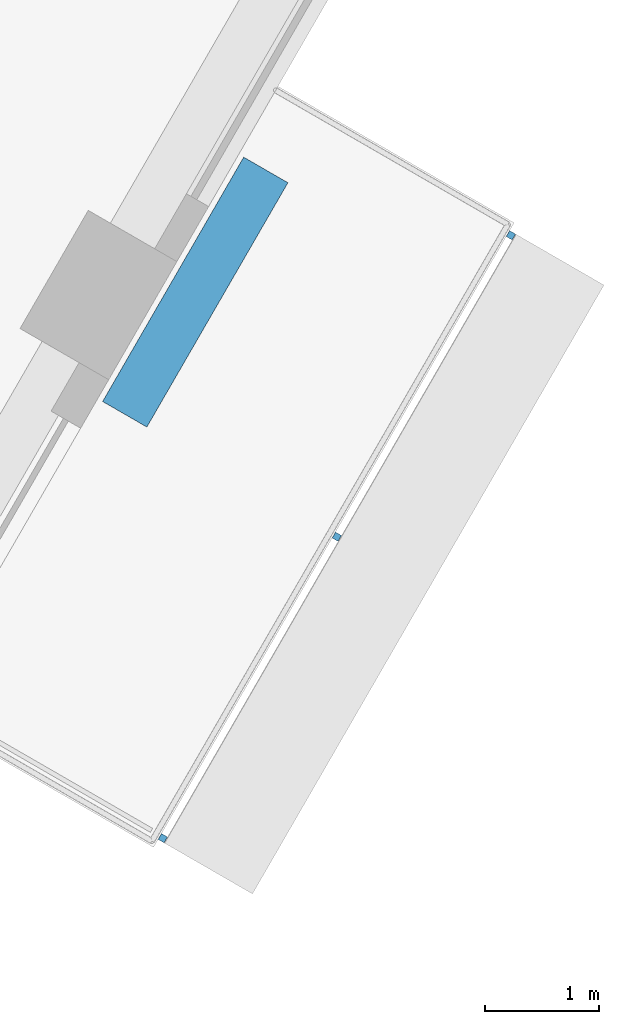
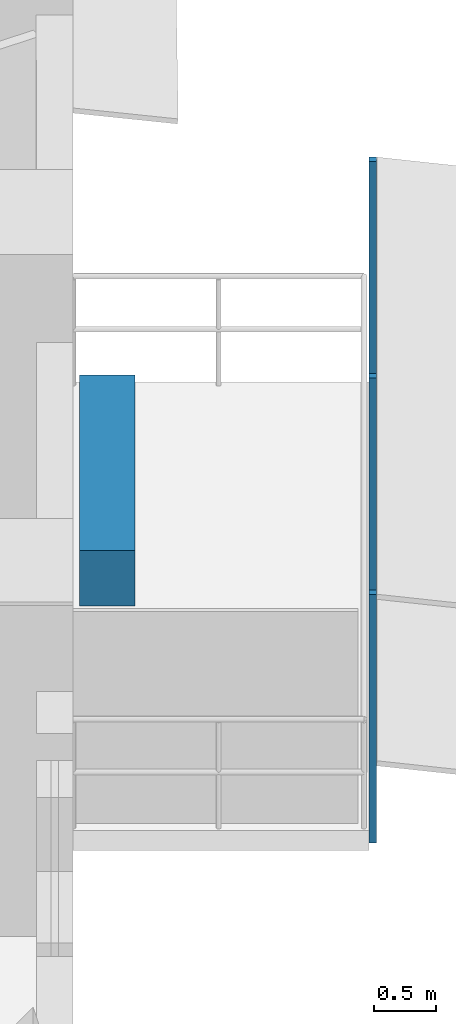
# One storey, part 11 of 15: 4 discrete accessories.
"""IFC4 building model written with IfcOpenShell, lengths in metres."""

from ifc_helpers import new_model, si_unit, direction, frame, origin, origin_2d, place, context, subcontext, project, spatial, rectangle, extrude, material, type_object, element, save


model = new_model("IFC4")

# Units and contexts
model_context = context("Model", 3, precision=1e-05, world=origin(), true_north=direction((0.0, 1.0)))
body_context = subcontext(model_context, "Body", "Model", "MODEL_VIEW")
ifc_project = project(units=[si_unit("LENGTHUNIT", "METRE"), si_unit("AREAUNIT", "SQUARE_METRE"), si_unit("VOLUMEUNIT", "CUBIC_METRE"), si_unit("PLANEANGLEUNIT", "RADIAN"), si_unit("MASSUNIT", "GRAM", prefix="KILO")], contexts=[model_context])

# Site, building, storey
site_placement = place(None, origin())
site = spatial("IfcSite", under=ifc_project, at=site_placement, CompositionType="ELEMENT")
building_placement = place(site_placement, origin())
building = spatial("IfcBuilding", under=site, at=building_placement, Name="Nakaniwa Court", CompositionType="ELEMENT")
storey_placement = place(building_placement, frame((0.0, 0.0, 189.89990234375)))
storey = spatial("IfcBuildingStorey", under=building, at=storey_placement, Name="L49", CompositionType="ELEMENT", Elevation=189.89990234375)

# Discrete accessories
ifc_material_1 = material(Name="Black powder-coated steel bracket S275", Category="steel")
discrete_accessory_type_1 = type_object("IfcDiscreteAccessoryType", Name="Black metal louvre bracket", PredefinedType="BRACKET", material=ifc_material_1)
for number, where, z_axis, x_axis, name in (
    (1, (99.70556640625, 63.970947265625, -0.229736328125), (0.0, 0.0, 1.0), (0.500016626402, 0.866015804314, 0.0), "L49 louvre bracket 02 1"),
    (2, (101.237060546875, 66.62353515625, -0.229736328125), (0.0, 0.0, 1.0), (0.500016626402, 0.866015804314, 0.0), "L49 louvre bracket 02 2"),
    (3, (102.7685546875, 69.276123046875, -0.229736328125), (0.0, 0.0, 1.0), (0.500016626402, 0.866015804314, 0.0), "L49 louvre bracket 02 3"),
):
    element("IfcDiscreteAccessory", number, at=place(storey_placement, frame(where, z_axis=z_axis, x_axis=x_axis)), inside=storey, type_object=discrete_accessory_type_1, Name=name, PredefinedType="BRACKET", context=body_context, shape_type="SweptSolid", body=[
        extrude(rectangle(XDim=0.06005859375, YDim=0.06005859375, at=origin_2d()), origin(), (0.0, 0.0, 1.0), 2.46337890625),
    ])
ifc_material_2 = material(Name="Precast concrete C40/50 planter with planted soil", Category="concrete")
discrete_accessory_type_2 = type_object("IfcDiscreteAccessoryType", Name="Planter box charcoal concrete", PredefinedType="USERDEFINED", material=ifc_material_2)
discrete_accessory_placement = place(storey_placement, frame((99.991455078125, 68.776123046875, -0.0498046875), z_axis=(0.0, 0.0, 1.0), x_axis=(0.500016626402, 0.866015804314, 0.0)))
element("IfcDiscreteAccessory", 4, at=discrete_accessory_placement, inside=storey, type_object=discrete_accessory_type_2, Name="L49 balcony PLANTER 02", ObjectType="PLANTER", PredefinedType="USERDEFINED", context=body_context, shape_type="SweptSolid", body=[
    extrude(rectangle(XDim=2.48291015625, YDim=0.449951171875, at=origin_2d()), origin(), (0.0, 0.0, 1.0), 0.550048828125),
])

save(model, "model.ifc")
